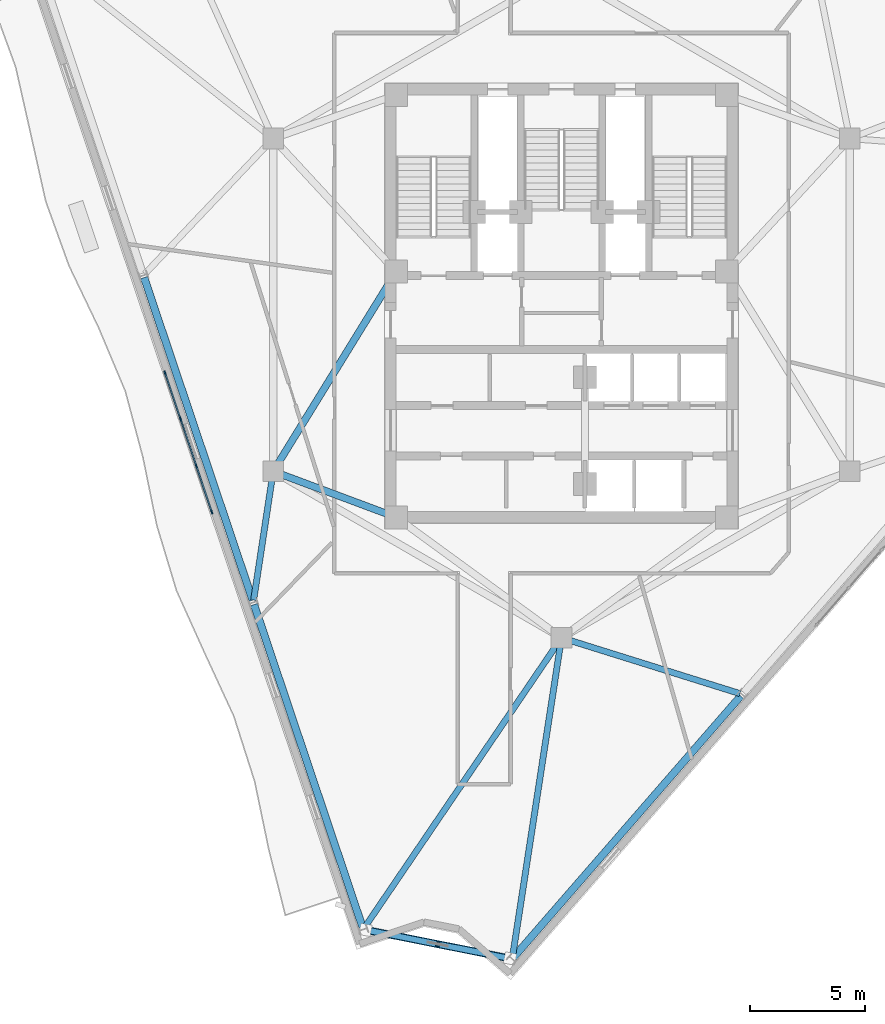
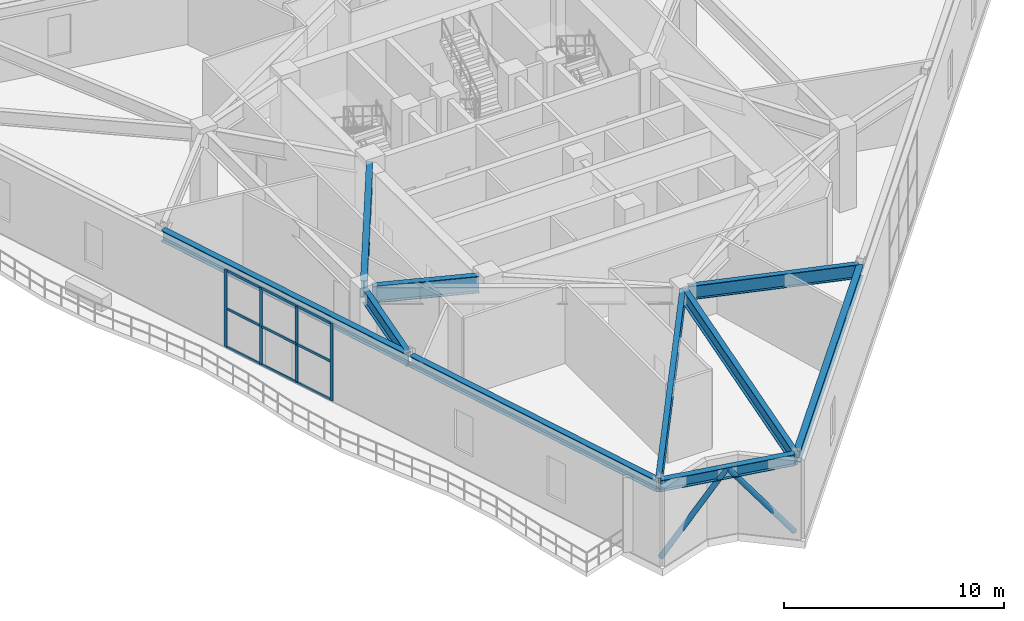
# One storey, part 3 of 15: 15 members, 10 beams, 1 element without a shape of its own.
"""IFC4 building model written with IfcOpenShell, lengths in metres."""

from ifc_helpers import new_model, si_unit, direction, frame, origin, origin_2d, place, context, subcontext, project, spatial, rectangle, hollow_circle, i_section, extrude, material, layer, layer_set, material_profile, profile_set, type_object, element, aggregate, save


model = new_model("IFC4")

# Units and contexts
model_context = context("Model", 3, precision=1e-05, world=origin(), true_north=direction((0.0, 1.0)))
body_context = subcontext(model_context, "Body", "Model", "MODEL_VIEW")
ifc_project = project(units=[si_unit("LENGTHUNIT", "METRE"), si_unit("AREAUNIT", "SQUARE_METRE"), si_unit("VOLUMEUNIT", "CUBIC_METRE"), si_unit("PLANEANGLEUNIT", "RADIAN"), si_unit("MASSUNIT", "GRAM", prefix="KILO")], contexts=[model_context])

# Site, building, storey
site_placement = place(None, origin())
site = spatial("IfcSite", under=ifc_project, at=site_placement, CompositionType="ELEMENT")
building_placement = place(site_placement, origin())
building = spatial("IfcBuilding", under=site, at=building_placement, Name="Apsidion Concourse Tower", CompositionType="ELEMENT")
storey_placement = place(building_placement, frame((0.0, 0.0, 260.89990234375)))
storey = spatial("IfcBuildingStorey", under=building, at=storey_placement, Name="L61", CompositionType="ELEMENT", Elevation=260.89990234375)

# Beams
ifc_material_1 = material(Name="Structural steel ASTM A992 Grade 50", Category="steel")
ifc_material_profile_1 = material_profile(ifc_material_1, i_section(OverallWidth=0.31005859375, OverallDepth=0.931884765625, WebThickness=0.02099609375, FlangeThickness=0.034423828125, at=origin_2d()), Name="W36X210")
ifc_profile_set_1 = profile_set([ifc_material_profile_1], Name="Structural steel ASTM A992 Grade 50")
beam_type_1 = type_object("IfcBeamType", Name="BM-G-W36", PredefinedType="USERDEFINED", material=ifc_profile_set_1)
beam_1_placement = place(storey_placement, frame((-12.185302734375, -7.389892578125, 3.884033203125), z_axis=(0.936913021145, -0.349562570664, 0.0), x_axis=(0.349562570664, 0.936913021145, 0.0)))
element("IfcBeam", 1, at=beam_1_placement, inside=storey, type_object=beam_type_1, Name="L61 Core Coupling Girder IC1-SC1", ObjectType="GIRDER", PredefinedType="USERDEFINED", context=body_context, shape_type="SweptSolid", body=[
    extrude(i_section(OverallWidth=0.31005859375, OverallDepth=0.931884765625, WebThickness=0.02099609375, FlangeThickness=0.034423828125, at=origin_2d()), origin(), (0.0, 0.0, 1.0), 4.921142578125),
])
beam_2_placement = place(storey_placement, frame((-12.35009765625, -6.909423828125, 3.884033203125), z_axis=(0.524524009763, 0.851395656074, 0.0), x_axis=(-0.851395656074, 0.524524009763, 0.0)))
element("IfcBeam", 2, at=beam_2_placement, inside=storey, type_object=beam_type_1, Name="L61 Core Coupling Girder IC1-SC6", ObjectType="GIRDER", PredefinedType="USERDEFINED", context=body_context, shape_type="SweptSolid", body=[
    extrude(i_section(OverallWidth=0.31005859375, OverallDepth=0.931884765625, WebThickness=0.02099609375, FlangeThickness=0.034423828125, at=origin_2d()), origin(), (0.0, 0.0, 1.0), 9.41845703125),
])
ifc_material_profile_2 = material_profile(ifc_material_1, i_section(OverallWidth=0.324951171875, OverallDepth=0.616943359375, WebThickness=0.013916015625, FlangeThickness=0.021484375, at=origin_2d()), Name="W24X117")
ifc_profile_set_2 = profile_set([ifc_material_profile_2], Name="Structural steel ASTM A992 Grade 50")
beam_type_2 = type_object("IfcBeamType", Name="BM-SP-W24", PredefinedType="SPANDREL", material=ifc_profile_set_2)
for number, where, z_axis, x_axis, name in (
    (3, (-18.18310546875, 1.191162109375, 4.04150390625), (0.318661757859, -0.94786849514, 0.0), (0.94786849514, 0.318661757859, 0.0), "L61 Perimeter Spandrel Girder SP-02"),
    (4, (-13.393798828125, -13.05419921875, 4.04150390625), (0.318681523158, -0.947861850059, 0.0), (0.947861850059, 0.318681523158, 0.0), "L61 Perimeter Spandrel Girder SP-03"),
):
    element("IfcBeam", number, at=place(storey_placement, frame(where, z_axis=z_axis, x_axis=x_axis)), inside=storey, type_object=beam_type_2, Name=name, PredefinedType="SPANDREL", context=body_context, shape_type="SweptSolid", body=[
        extrude(i_section(OverallWidth=0.324951171875, OverallDepth=0.616943359375, WebThickness=0.013916015625, FlangeThickness=0.021484375, at=origin_2d()), origin(), (0.0, 0.0, 1.0), 14.82861328125),
    ])
beam_3_placement = place(storey_placement, frame((-8.538330078125, -27.223876953125, 4.04150390625), z_axis=(0.980920203242, -0.194410788981, 0.0), x_axis=(0.194410788981, 0.980920203242, 0.0)))
element("IfcBeam", 5, at=beam_3_placement, inside=storey, type_object=beam_type_2, Name="L61 Perimeter Spandrel Girder SP-04", PredefinedType="SPANDREL", context=body_context, shape_type="SweptSolid", body=[
    extrude(i_section(OverallWidth=0.324951171875, OverallDepth=0.616943359375, WebThickness=0.013916015625, FlangeThickness=0.021484375, at=origin_2d()), origin(), (0.0, 0.0, 1.0), 6.415771484375),
])
beam_4_placement = place(storey_placement, frame((-2.081298828125, -28.4150390625, 4.04150390625), z_axis=(0.656066832384, 0.754702796766, 0.0), x_axis=(-0.754702796766, 0.656066832384, 0.0)))
element("IfcBeam", 6, at=beam_4_placement, inside=storey, type_object=beam_type_2, Name="L61 Perimeter Spandrel Girder SP-05", PredefinedType="SPANDREL", context=body_context, shape_type="SweptSolid", body=[
    extrude(i_section(OverallWidth=0.324951171875, OverallDepth=0.616943359375, WebThickness=0.013916015625, FlangeThickness=0.021484375, at=origin_2d()), origin(), (0.0, 0.0, 1.0), 15.07373046875),
])
ifc_material_profile_3 = material_profile(ifc_material_1, i_section(OverallWidth=0.26806640625, OverallDepth=0.77001953125, WebThickness=0.015625, FlangeThickness=0.025390625, at=origin_2d()), Name="W30X132")
ifc_profile_set_3 = profile_set([ifc_material_profile_3], Name="Structural steel ASTM A992 Grade 50")
beam_type_3 = type_object("IfcBeamType", Name="BM-SP-W30", PredefinedType="SPANDREL", material=ifc_profile_set_3)
beam_5_placement = place(storey_placement, frame((-12.593017578125, -7.467529296875, 3.965087890625), z_axis=(-0.149944598724, -0.988694400365, 0.0), x_axis=(0.988694400365, -0.149944598724, 0.0)))
element("IfcBeam", 7, at=beam_5_placement, inside=storey, type_object=beam_type_3, Name="L61 Radial Floor Girder RAD-03", PredefinedType="SPANDREL", context=body_context, shape_type="SweptSolid", body=[
    extrude(i_section(OverallWidth=0.26806640625, OverallDepth=0.77001953125, WebThickness=0.015625, FlangeThickness=0.025390625, at=origin_2d()), origin(), (0.0, 0.0, 1.0), 5.45458984375),
])
beam_6_placement = place(storey_placement, frame((-0.123779296875, -14.681884765625, 3.965087890625), z_axis=(-0.56217993865, -0.827014943383, 0.0), x_axis=(0.827014943383, -0.56217993865, 0.0)))
element("IfcBeam", 8, at=beam_6_placement, inside=storey, type_object=beam_type_3, Name="L61 Radial Floor Girder RAD-04", PredefinedType="SPANDREL", context=body_context, shape_type="SweptSolid", body=[
    extrude(i_section(OverallWidth=0.26806640625, OverallDepth=0.77001953125, WebThickness=0.015625, FlangeThickness=0.025390625, at=origin_2d()), origin(), (0.0, 0.0, 1.0), 15.0419921875),
])
beam_7_placement = place(storey_placement, frame((-0.033447265625, -14.717529296875, 3.965087890625), z_axis=(-0.151664637663, -0.988432009641, 0.0), x_axis=(0.988432009641, -0.151664637663, 0.0)))
element("IfcBeam", 9, at=beam_7_placement, inside=storey, type_object=beam_type_3, Name="L61 Radial Floor Girder RAD-05", PredefinedType="SPANDREL", context=body_context, shape_type="SweptSolid", body=[
    extrude(i_section(OverallWidth=0.26806640625, OverallDepth=0.77001953125, WebThickness=0.015625, FlangeThickness=0.025390625, at=origin_2d()), origin(), (0.0, 0.0, 1.0), 13.833984375),
])
beam_8_placement = place(storey_placement, frame((0.2099609375, -14.565673828125, 3.965087890625), z_axis=(0.954387901166, -0.298569479532, 0.0), x_axis=(0.298569479532, 0.954387901166, 0.0)))
element("IfcBeam", 10, at=beam_8_placement, inside=storey, type_object=beam_type_3, Name="L61 Radial Floor Girder RAD-06", PredefinedType="SPANDREL", context=body_context, shape_type="SweptSolid", body=[
    extrude(i_section(OverallWidth=0.26806640625, OverallDepth=0.77001953125, WebThickness=0.015625, FlangeThickness=0.025390625, at=origin_2d()), origin(), (0.0, 0.0, 1.0), 7.93017578125),
])

# Curtain wall, members
ifc_material_2 = material(Name="Insulated laminated low-E glass", Category="glass")
ifc_layer = layer(ifc_material_2, 0.2099609375)
ifc_layer_set = layer_set([ifc_layer], Name="Insulated laminated low-E glass")
curtain_wall_type = type_object("IfcCurtainWallType", Name="CW-SYS-03", PredefinedType="NOTDEFINED", material=ifc_layer_set)
curtain_wall_placement = place(storey_placement, origin())
curtain_wall = element("IfcCurtainWall", 11, at=curtain_wall_placement, inside=storey, type_object=curtain_wall_type, Name="L61 Sky Lobby Curtain Wall 9", PredefinedType="NOTDEFINED")
ifc_material_3 = material(Name="Anodised aluminium EN AW-6063 T6", Category="aluminium")
ifc_material_profile_4 = material_profile(ifc_material_3, rectangle(XDim=0.06494140625, YDim=0.179931640625, at=origin_2d()), Name="ALU MULLION 65x180")
ifc_profile_set_4 = profile_set([ifc_material_profile_4], Name="Anodised aluminium EN AW-6063 T6")
member_type_1 = type_object("IfcMemberType", Name="CWM-65X180", PredefinedType="MULLION", material=ifc_profile_set_4)
member_1_placement = place(storey_placement, frame((-15.235107421875, -9.018798828125, 0.0), z_axis=(0.0, 0.0, 1.0), x_axis=(-0.947791383776, -0.318891035998, 0.0)))
member_1 = element("IfcMember", 12, at=member_1_placement, type_object=member_type_1, Name="CW-03 mullion 1", PredefinedType="MULLION", context=body_context, shape_type="SweptSolid", body=[
    extrude(rectangle(XDim=0.06494140625, YDim=0.179931640625, at=origin_2d()), origin(), (0.0, 0.0, 1.0), 4.300048828125),
])
member_2_placement = place(storey_placement, frame((-15.91162109375, -7.0078125, 0.0), z_axis=(0.0, 0.0, 1.0), x_axis=(-0.947791383776, -0.318891035998, 0.0)))
member_2 = element("IfcMember", 13, at=member_2_placement, type_object=member_type_1, Name="CW-03 mullion 2", PredefinedType="MULLION", context=body_context, shape_type="SweptSolid", body=[
    extrude(rectangle(XDim=0.06494140625, YDim=0.179931640625, at=origin_2d()), origin(), (0.0, 0.0, 1.0), 4.300048828125),
])
member_3_placement = place(storey_placement, frame((-16.5986328125, -4.966064453125, 0.0), z_axis=(0.0, 0.0, 1.0), x_axis=(-0.947791383776, -0.318891035998, 0.0)))
member_3 = element("IfcMember", 14, at=member_3_placement, type_object=member_type_1, Name="CW-03 mullion 3", PredefinedType="MULLION", context=body_context, shape_type="SweptSolid", body=[
    extrude(rectangle(XDim=0.06494140625, YDim=0.179931640625, at=origin_2d()), origin(), (0.0, 0.0, 1.0), 4.300048828125),
])
member_4_placement = place(storey_placement, frame((-17.275146484375, -2.955322265625, 0.0), z_axis=(0.0, 0.0, 1.0), x_axis=(-0.947791383776, -0.318891035998, 0.0)))
member_4 = element("IfcMember", 15, at=member_4_placement, type_object=member_type_1, Name="CW-03 mullion 4", PredefinedType="MULLION", context=body_context, shape_type="SweptSolid", body=[
    extrude(rectangle(XDim=0.06494140625, YDim=0.179931640625, at=origin_2d()), origin(), (0.0, 0.0, 1.0), 4.300048828125),
])
ifc_material_profile_5 = material_profile(ifc_material_3, rectangle(XDim=0.06494140625, YDim=0.139892578125, at=origin_2d()), Name="ALU TRANSOM 65x140")
ifc_profile_set_5 = profile_set([ifc_material_profile_5], Name="Anodised aluminium EN AW-6063 T6")
member_type_2 = type_object("IfcMemberType", Name="CWT-65X140", PredefinedType="USERDEFINED", material=ifc_profile_set_5)
member_5_placement = place(storey_placement, frame((-15.245361328125, -8.988037109375, 0.03271484375), z_axis=(-0.318968601553, 0.947765282769, 0.0), x_axis=(-0.947765282769, -0.318968601553, 0.0)))
member_5 = element("IfcMember", 16, at=member_5_placement, type_object=member_type_2, Name="CW-03 transom 1.1", ObjectType="TRANSOM", PredefinedType="USERDEFINED", context=body_context, shape_type="SweptSolid", body=[
    extrude(rectangle(XDim=0.06494140625, YDim=0.139892578125, at=origin_2d()), origin(), (0.0, 0.0, 1.0), 2.056640625),
])
member_6_placement = place(storey_placement, frame((-15.245361328125, -8.988037109375, 2.150146484375), z_axis=(-0.318968601553, 0.947765282769, 0.0), x_axis=(-0.947765282769, -0.318968601553, 0.0)))
member_6 = element("IfcMember", 17, at=member_6_placement, type_object=member_type_2, Name="CW-03 transom 1.2", ObjectType="TRANSOM", PredefinedType="USERDEFINED", context=body_context, shape_type="SweptSolid", body=[
    extrude(rectangle(XDim=0.06494140625, YDim=0.139892578125, at=origin_2d()), origin(), (0.0, 0.0, 1.0), 2.056640625),
])
member_7_placement = place(storey_placement, frame((-15.245361328125, -8.988037109375, 4.267578125), z_axis=(-0.318968601553, 0.947765282769, 0.0), x_axis=(-0.947765282769, -0.318968601553, 0.0)))
member_7 = element("IfcMember", 18, at=member_7_placement, type_object=member_type_2, Name="CW-03 transom 1.3", ObjectType="TRANSOM", PredefinedType="USERDEFINED", context=body_context, shape_type="SweptSolid", body=[
    extrude(rectangle(XDim=0.06494140625, YDim=0.139892578125, at=origin_2d()), origin(), (0.0, 0.0, 1.0), 2.056640625),
])
member_8_placement = place(storey_placement, frame((-15.922119140625, -6.97705078125, 0.03271484375), z_axis=(-0.31892607983, 0.947779592313, 0.0), x_axis=(-0.947779592313, -0.31892607983, 0.0)))
member_8 = element("IfcMember", 19, at=member_8_placement, type_object=member_type_2, Name="CW-03 transom 2.1", ObjectType="TRANSOM", PredefinedType="USERDEFINED", context=body_context, shape_type="SweptSolid", body=[
    extrude(rectangle(XDim=0.06494140625, YDim=0.139892578125, at=origin_2d()), origin(), (0.0, 0.0, 1.0), 2.089111328125),
])
member_9_placement = place(storey_placement, frame((-15.922119140625, -6.97705078125, 2.150146484375), z_axis=(-0.31892607983, 0.947779592313, 0.0), x_axis=(-0.947779592313, -0.31892607983, 0.0)))
member_9 = element("IfcMember", 20, at=member_9_placement, type_object=member_type_2, Name="CW-03 transom 2.2", ObjectType="TRANSOM", PredefinedType="USERDEFINED", context=body_context, shape_type="SweptSolid", body=[
    extrude(rectangle(XDim=0.06494140625, YDim=0.139892578125, at=origin_2d()), origin(), (0.0, 0.0, 1.0), 2.089111328125),
])
member_10_placement = place(storey_placement, frame((-15.922119140625, -6.97705078125, 4.267578125), z_axis=(-0.31892607983, 0.947779592313, 0.0), x_axis=(-0.947779592313, -0.31892607983, 0.0)))
member_10 = element("IfcMember", 21, at=member_10_placement, type_object=member_type_2, Name="CW-03 transom 2.3", ObjectType="TRANSOM", PredefinedType="USERDEFINED", context=body_context, shape_type="SweptSolid", body=[
    extrude(rectangle(XDim=0.06494140625, YDim=0.139892578125, at=origin_2d()), origin(), (0.0, 0.0, 1.0), 2.089111328125),
])
member_11_placement = place(storey_placement, frame((-16.60888671875, -4.935302734375, 0.03271484375), z_axis=(-0.318968601553, 0.947765282769, 0.0), x_axis=(-0.947765282769, -0.318968601553, 0.0)))
member_11 = element("IfcMember", 22, at=member_11_placement, type_object=member_type_2, Name="CW-03 transom 3.1", ObjectType="TRANSOM", PredefinedType="USERDEFINED", context=body_context, shape_type="SweptSolid", body=[
    extrude(rectangle(XDim=0.06494140625, YDim=0.139892578125, at=origin_2d()), origin(), (0.0, 0.0, 1.0), 2.056640625),
])
member_12_placement = place(storey_placement, frame((-16.60888671875, -4.935302734375, 2.150146484375), z_axis=(-0.318968601553, 0.947765282769, 0.0), x_axis=(-0.947765282769, -0.318968601553, 0.0)))
member_12 = element("IfcMember", 23, at=member_12_placement, type_object=member_type_2, Name="CW-03 transom 3.2", ObjectType="TRANSOM", PredefinedType="USERDEFINED", context=body_context, shape_type="SweptSolid", body=[
    extrude(rectangle(XDim=0.06494140625, YDim=0.139892578125, at=origin_2d()), origin(), (0.0, 0.0, 1.0), 2.056640625),
])
member_13_placement = place(storey_placement, frame((-16.60888671875, -4.935302734375, 4.267578125), z_axis=(-0.318968601553, 0.947765282769, 0.0), x_axis=(-0.947765282769, -0.318968601553, 0.0)))
member_13 = element("IfcMember", 24, at=member_13_placement, type_object=member_type_2, Name="CW-03 transom 3.3", ObjectType="TRANSOM", PredefinedType="USERDEFINED", context=body_context, shape_type="SweptSolid", body=[
    extrude(rectangle(XDim=0.06494140625, YDim=0.139892578125, at=origin_2d()), origin(), (0.0, 0.0, 1.0), 2.056640625),
])
aggregate(curtain_wall, [member_1, member_2, member_3, member_4, member_5, member_6, member_7, member_8, member_9, member_10, member_11, member_12, member_13])

# Members
ifc_material_4 = material(Name="Structural steel ASTM A500 Grade C", Category="steel")
ifc_material_profile_6 = material_profile(ifc_material_4, hollow_circle(Radius=0.136474609375, WallThickness=0.01611328125, at=origin_2d()), Name="CHS273X16")
ifc_profile_set_6 = profile_set([ifc_material_profile_6], Name="Structural steel ASTM A500 Grade C")
member_type_3 = type_object("IfcMemberType", Name="MB-BR-CHS273", PredefinedType="BRACE", material=ifc_profile_set_6)
for number, where, z_axis, x_axis, name in (
    (25, (-8.538330078125, -27.223876953125, 0.0), (0.590960239869, -0.117100818731, 0.798156246074), (0.194374174184, 0.980927459301, 0.0), "L61 Corner Step-Transfer Chevron Brace KN-1-1"),
    (26, (-2.244873046875, -28.47119140625, 0.0), (-0.590957066367, 0.117146039613, 0.798151959913), (-0.194447402966, -0.980912945923, 0.0), "L61 Corner Step-Transfer Chevron Brace KN-1-2"),
):
    element("IfcMember", number, at=place(storey_placement, frame(where, z_axis=z_axis, x_axis=x_axis)), inside=storey, type_object=member_type_3, Name=name, PredefinedType="BRACE", context=body_context, shape_type="SweptSolid", body=[
        extrude(hollow_circle(Radius=0.136474609375, WallThickness=0.01611328125, at=origin_2d()), origin(), (0.0, 0.0, 1.0), 5.32470703125),
    ])

save(model, "model.ifc")
